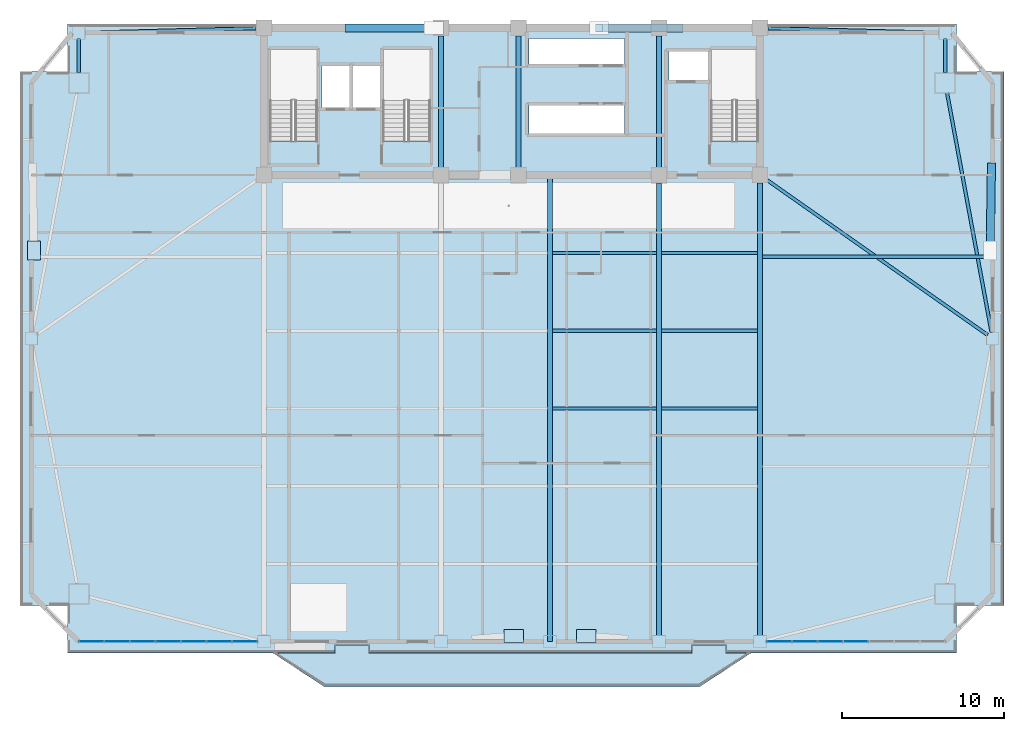
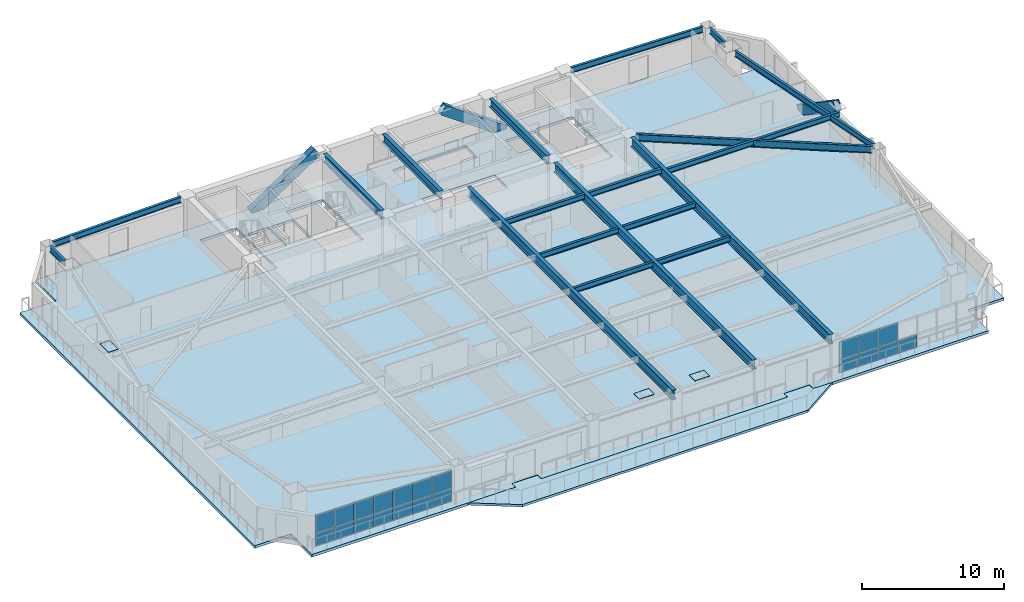
# One storey, part 6 of 15: 24 plates, 19 beams, 3 members, 2 slabs, 2 elements without a shape of their own.
"""IFC4 building model written with IfcOpenShell, lengths in metres."""

from ifc_helpers import new_model, si_unit, direction, frame, origin, origin_2d, place, context, subcontext, project, spatial, polyline, rectangle, hollow_rectangle, i_section, outline, extrude, source, transform, mapped, material, layer, layer_set, material_profile, profile_set, type_object, element, aggregate, save


model = new_model("IFC4")

# Units and contexts
model_context = context("Model", 3, precision=1e-05, world=origin(), true_north=direction((0.0, 1.0)))
body_context = subcontext(model_context, "Body", "Model", "MODEL_VIEW")
ifc_project = project(units=[si_unit("LENGTHUNIT", "METRE"), si_unit("AREAUNIT", "SQUARE_METRE"), si_unit("VOLUMEUNIT", "CUBIC_METRE"), si_unit("PLANEANGLEUNIT", "RADIAN"), si_unit("MASSUNIT", "GRAM", prefix="KILO")], contexts=[model_context])

# Site, building, storey
site_placement = place(None, origin())
site = spatial("IfcSite", under=ifc_project, at=site_placement, CompositionType="ELEMENT")
building_placement = place(site_placement, origin())
building = spatial("IfcBuilding", under=site, at=building_placement, Name="Giltprow Tower", CompositionType="ELEMENT")
storey_placement = place(building_placement, frame((0.0, 0.0, 152.699951171875)))
storey = spatial("IfcBuildingStorey", under=building, at=storey_placement, Name="L37", CompositionType="ELEMENT", Elevation=152.699951171875)

# Beams
ifc_material_1 = material(Name="Structural steel Q355B", Category="steel")
ifc_material_profile_1 = material_profile(ifc_material_1, i_section(OverallWidth=0.199951171875, OverallDepth=0.449951171875, WebThickness=0.009033203125, FlangeThickness=0.013916015625, at=origin_2d()), Name="HN 450x200x9x14")
ifc_profile_set_1 = profile_set([ifc_material_profile_1], Name="Structural steel Q355B")
beam_type_1 = type_object("IfcBeamType", Name="BM-JOIST-HN450", PredefinedType="JOIST", material=ifc_profile_set_1)
shared_shape_1 = source(origin(), body_context, "Body", "SweptSolid", [
    extrude(i_section(OverallWidth=0.199951171875, OverallDepth=0.449951171875, WebThickness=0.009033203125, FlangeThickness=0.013916015625, at=origin_2d()), origin(), (0.0, 0.0, 1.0), 6.4599609375),
])
for number, where, z_axis, x_axis, name in (
    (1, (37.695068359375, 23.010986328125, 3.045166015625), (1.0, 0.0, 0.0), (0.0, 1.0, 0.0), "L37 Composite Floor Joist 3-3"),
    (2, (37.695068359375, 27.823974609375, 3.045166015625), (1.0, 0.0, 0.0), (0.0, 1.0, 0.0), "L37 Composite Floor Joist 4-3"),
    (3, (37.695068359375, 32.636962890625, 3.045166015625), (1.0, 0.0, 0.0), (0.0, 1.0, 0.0), "L37 Composite Floor Joist 5-3"),
):
    element("IfcBeam", number, at=place(storey_placement, frame(where, z_axis=z_axis, x_axis=x_axis)), inside=storey, type_object=beam_type_1, Name=name, PredefinedType="JOIST", context=body_context, shape_type="MappedRepresentation", body=[
        mapped(shared_shape_1, transform((0.0, 0.0, 0.0), x_axis=(1.0, 0.0, 0.0), y_axis=(0.0, 1.0, 0.0), z_axis=(0.0, 0.0, 1.0), scale=1.0)),
    ])
shared_shape_2 = source(origin(), body_context, "Body", "SweptSolid", [
    extrude(i_section(OverallWidth=0.199951171875, OverallDepth=0.449951171875, WebThickness=0.009033203125, FlangeThickness=0.013916015625, at=origin_2d()), origin(), (0.0, 0.0, 1.0), 5.9599609375),
])
for number, where, z_axis, x_axis, name in (
    (4, (44.445068359375, 23.010986328125, 3.045166015625), (1.0, 0.0, 0.0), (0.0, 1.0, 0.0), "L37 Composite Floor Joist 3-4"),
    (5, (44.445068359375, 27.823974609375, 3.045166015625), (1.0, 0.0, 0.0), (0.0, 1.0, 0.0), "L37 Composite Floor Joist 4-4"),
    (6, (44.445068359375, 32.636962890625, 3.045166015625), (1.0, 0.0, 0.0), (0.0, 1.0, 0.0), "L37 Composite Floor Joist 5-4"),
):
    element("IfcBeam", number, at=place(storey_placement, frame(where, z_axis=z_axis, x_axis=x_axis)), inside=storey, type_object=beam_type_1, Name=name, PredefinedType="JOIST", context=body_context, shape_type="MappedRepresentation", body=[
        mapped(shared_shape_2, transform((0.0, 0.0, 0.0), x_axis=(1.0, 0.0, 0.0), y_axis=(0.0, 1.0, 0.0), z_axis=(0.0, 0.0, 1.0), scale=1.0)),
    ])
ifc_material_profile_2 = material_profile(ifc_material_1, i_section(OverallWidth=0.199951171875, OverallDepth=0.5, WebThickness=0.010009765625, FlangeThickness=0.01611328125, at=origin_2d()), Name="HN 500x200x10x16")
ifc_profile_set_2 = profile_set([ifc_material_profile_2], Name="Structural steel Q355B")
beam_type_2 = type_object("IfcBeamType", Name="BM-SPAN-HN500", PredefinedType="SPANDREL", material=ifc_profile_set_2)
shared_shape_3 = source(origin(), body_context, "Body", "SweptSolid", [
    extrude(i_section(OverallWidth=0.199951171875, OverallDepth=0.5, WebThickness=0.010009765625, FlangeThickness=0.01611328125, at=origin_2d()), origin(), (0.0, 0.0, 1.0), 15.075439453125),
])
beam_1_placement = place(storey_placement, frame((64.881103515625, 27.715087890625, 3.02001953125), z_axis=(-0.182625068297, 0.983182630252, 0.0), x_axis=(-0.983182630252, -0.182625068297, 0.0)))
element("IfcBeam", 7, at=beam_1_placement, inside=storey, type_object=beam_type_2, Name="L37 Perimeter Spandrel Beam E_MID-MC_NE", PredefinedType="SPANDREL", context=body_context, shape_type="MappedRepresentation", body=[
    mapped(shared_shape_3, transform((0.0, 0.0, 0.0), x_axis=(1.0, 0.0, 0.0), y_axis=(0.0, 1.0, 0.0), z_axis=(0.0, 0.0, 1.0), scale=1.0)),
])
shared_shape_4 = source(origin(), body_context, "Body", "SweptSolid", [
    extrude(i_section(OverallWidth=0.199951171875, OverallDepth=0.5, WebThickness=0.010009765625, FlangeThickness=0.01611328125, at=origin_2d()), origin(), (0.0, 0.0, 1.0), 2.069091796875),
])
for number, where, z_axis, x_axis, name in (
    (8, (62.011962890625, 43.7958984375, 3.02001953125), (0.0, 1.0, 0.0), (-1.0, 0.0, 0.0), "L37 Perimeter Spandrel Beam MC_NE-N_E"),
    (9, (8.387939453125, 45.864990234375, 3.02001953125), (0.0, -1.0, 0.0), (1.0, 0.0, 0.0), "L37 Perimeter Spandrel Beam N_W-MC_NW"),
):
    element("IfcBeam", number, at=place(storey_placement, frame(where, z_axis=z_axis, x_axis=x_axis)), inside=storey, type_object=beam_type_2, Name=name, PredefinedType="SPANDREL", context=body_context, shape_type="MappedRepresentation", body=[
        mapped(shared_shape_4, transform((0.0, 0.0, 0.0), x_axis=(1.0, 0.0, 0.0), y_axis=(0.0, 1.0, 0.0), z_axis=(0.0, 0.0, 1.0), scale=1.0)),
    ])
ifc_material_profile_3 = material_profile(ifc_material_1, i_section(OverallWidth=0.300048828125, OverallDepth=0.800048828125, WebThickness=0.013916015625, FlangeThickness=0.02587890625, at=origin_2d()), Name="HN 800x300x14x26")
ifc_profile_set_3 = profile_set([ifc_material_profile_3], Name="Structural steel Q355B")
beam_type_3 = type_object("IfcBeamType", Name="BM-GIRD-HN800", PredefinedType="BEAM", material=ifc_profile_set_3)
shared_shape_5 = source(origin(), body_context, "Body", "SweptSolid", [
    extrude(i_section(OverallWidth=0.300048828125, OverallDepth=0.800048828125, WebThickness=0.013916015625, FlangeThickness=0.02587890625, at=origin_2d()), origin(), (0.0, 0.0, 1.0), 28.8779296875),
])
beam_2_placement = place(storey_placement, frame((37.550048828125, 8.572021484375, 2.8701171875), z_axis=(0.0, 1.0, 0.0), x_axis=(-1.0, 0.0, 0.0)))
element("IfcBeam", 10, at=beam_2_placement, inside=storey, type_object=beam_type_3, Name="L37 Central Lease Girder SMID", PredefinedType="BEAM", context=body_context, shape_type="MappedRepresentation", body=[
    mapped(shared_shape_5, transform((0.0, 0.0, 0.0), x_axis=(1.0, 0.0, 0.0), y_axis=(0.0, 1.0, 0.0), z_axis=(0.0, 0.0, 1.0), scale=1.0)),
])
shared_shape_6 = source(origin(), body_context, "Body", "SweptSolid", [
    extrude(i_section(OverallWidth=0.199951171875, OverallDepth=0.449951171875, WebThickness=0.009033203125, FlangeThickness=0.013916015625, at=origin_2d()), origin(), (0.0, 0.0, 1.0), 14.035888671875),
])
beam_3_placement = place(storey_placement, frame((50.695068359375, 32.39306640625, 3.045166015625), z_axis=(1.0, 0.0, 0.0), x_axis=(0.0, 1.0, 0.0)))
element("IfcBeam", 11, at=beam_3_placement, inside=storey, type_object=beam_type_1, Name="L37 East Wing Floor Joist 2", PredefinedType="JOIST", context=body_context, shape_type="MappedRepresentation", body=[
    mapped(shared_shape_6, transform((0.0, 0.0, 0.0), x_axis=(1.0, 0.0, 0.0), y_axis=(0.0, 1.0, 0.0), z_axis=(0.0, 0.0, 1.0), scale=1.0)),
])
ifc_material_profile_4 = material_profile(ifc_material_1, i_section(OverallWidth=0.300048828125, OverallDepth=0.699951171875, WebThickness=0.012939453125, FlangeThickness=0.02392578125, at=origin_2d()), Name="HN 700x300x13x24")
ifc_profile_set_4 = profile_set([ifc_material_profile_4], Name="Structural steel Q355B")
beam_type_4 = type_object("IfcBeamType", Name="BM-GIRD-HN700", PredefinedType="BEAM", material=ifc_profile_set_4)
shared_shape_7 = source(origin(), body_context, "Body", "SweptSolid", [
    extrude(i_section(OverallWidth=0.300048828125, OverallDepth=0.699951171875, WebThickness=0.012939453125, FlangeThickness=0.02392578125, at=origin_2d()), origin(), (0.0, 0.0, 1.0), 8.1298828125),
])
for number, where, z_axis, x_axis, name in (
    (12, (30.800048828125, 37.93505859375, 2.920166015625), (0.0, 1.0, 0.0), (-1.0, 0.0, 0.0), "L37 Core Tie Girder M1"),
    (13, (35.60009765625, 37.93505859375, 2.920166015625), (0.0, 1.0, 0.0), (-1.0, 0.0, 0.0), "L37 Core Tie Girder M2"),
    (14, (44.300048828125, 37.93505859375, 2.920166015625), (0.0, 1.0, 0.0), (-1.0, 0.0, 0.0), "L37 Core Tie Girder M3"),
):
    element("IfcBeam", number, at=place(storey_placement, frame(where, z_axis=z_axis, x_axis=x_axis)), inside=storey, type_object=beam_type_4, Name=name, PredefinedType="BEAM", context=body_context, shape_type="MappedRepresentation", body=[
        mapped(shared_shape_7, transform((0.0, 0.0, 0.0), x_axis=(1.0, 0.0, 0.0), y_axis=(0.0, 1.0, 0.0), z_axis=(0.0, 0.0, 1.0), scale=1.0)),
    ])
shared_shape_8 = source(origin(), body_context, "Body", "SweptSolid", [
    extrude(i_section(OverallWidth=0.199951171875, OverallDepth=0.5, WebThickness=0.010009765625, FlangeThickness=0.01611328125, at=origin_2d()), origin(), (0.0, 0.0, 1.0), 10.595703125),
])
for number, where, z_axis, x_axis, name in (
    (15, (8.77294921875, 46.260009765625, 3.02001953125), (0.999657973569, 0.0261521678, 0.0), (-0.0261521678, 0.999657973569, 0.0), "L37 North Wing Spandrel W"),
    (16, (51.034912109375, 46.537109375, 3.02001953125), (0.999657973569, -0.0261521678, 0.0), (0.0261521678, 0.999657973569, 0.0), "L37 North Wing Spandrel E"),
):
    element("IfcBeam", number, at=place(storey_placement, frame(where, z_axis=z_axis, x_axis=x_axis)), inside=storey, type_object=beam_type_2, Name=name, PredefinedType="SPANDREL", context=body_context, shape_type="MappedRepresentation", body=[
        mapped(shared_shape_8, transform((0.0, 0.0, 0.0), x_axis=(1.0, 0.0, 0.0), y_axis=(0.0, 1.0, 0.0), z_axis=(0.0, 0.0, 1.0), scale=1.0)),
    ])
shared_shape_9 = source(origin(), body_context, "Body", "SweptSolid", [
    extrude(i_section(OverallWidth=0.300048828125, OverallDepth=0.800048828125, WebThickness=0.013916015625, FlangeThickness=0.02587890625, at=origin_2d()), origin(), (0.0, 0.0, 1.0), 28.008056640625),
])
for number, where, z_axis, x_axis, name in (
    (17, (44.300048828125, 8.95703125, 2.8701171875), (0.0, 1.0, 0.0), (-1.0, 0.0, 0.0), "L37 Primary Lease Girder S3"),
    (18, (50.550048828125, 8.95703125, 2.8701171875), (0.0, 1.0, 0.0), (-1.0, 0.0, 0.0), "L37 Primary Lease Girder S4"),
):
    element("IfcBeam", number, at=place(storey_placement, frame(where, z_axis=z_axis, x_axis=x_axis)), inside=storey, type_object=beam_type_3, Name=name, PredefinedType="BEAM", context=body_context, shape_type="MappedRepresentation", body=[
        mapped(shared_shape_9, transform((0.0, 0.0, 0.0), x_axis=(1.0, 0.0, 0.0), y_axis=(0.0, 1.0, 0.0), z_axis=(0.0, 0.0, 1.0), scale=1.0)),
    ])
ifc_material_profile_5 = material_profile(ifc_material_1, i_section(OverallWidth=0.199951171875, OverallDepth=0.60009765625, WebThickness=0.010986328125, FlangeThickness=0.01708984375, at=origin_2d()), Name="HN 600x200x11x17")
ifc_profile_set_5 = profile_set([ifc_material_profile_5], Name="Structural steel Q355B")
beam_type_5 = type_object("IfcBeamType", Name="BM-GIRD-HN600", PredefinedType="BEAM", material=ifc_profile_set_5)
shared_shape_10 = source(origin(), body_context, "Body", "SweptSolid", [
    extrude(i_section(OverallWidth=0.199951171875, OverallDepth=0.60009765625, WebThickness=0.010986328125, FlangeThickness=0.01708984375, at=origin_2d()), origin(), (0.0, 0.0, 1.0), 16.727783203125),
])
beam_4_placement = place(storey_placement, frame((64.635986328125, 27.556884765625, 2.969970703125), z_axis=(-0.818339560657, 0.574735037616, 0.0), x_axis=(-0.574735037616, -0.818339560657, 0.0)))
element("IfcBeam", 19, at=beam_4_placement, inside=storey, type_object=beam_type_5, Name="L37 East Wing Primary Girder", PredefinedType="BEAM", context=body_context, shape_type="MappedRepresentation", body=[
    mapped(shared_shape_10, transform((0.0, 0.0, 0.0), x_axis=(1.0, 0.0, 0.0), y_axis=(0.0, 1.0, 0.0), z_axis=(0.0, 0.0, 1.0), scale=1.0)),
])

# Members
ifc_material_2 = material(Name="Structural steel Q420GJC", Category="steel")
ifc_material_profile_6 = material_profile(ifc_material_2, hollow_rectangle(XDim=0.5, YDim=0.800048828125, WallThickness=0.035888671875, at=origin_2d()), Name="RHS 800x500x36")
ifc_profile_set_6 = profile_set([ifc_material_profile_6], Name="Structural steel Q420GJC")
member_type = type_object("IfcMemberType", Name="MBR-MEGA-RHS800", PredefinedType="BRACE", material=ifc_profile_set_6)
shared_shape_11 = source(origin(), body_context, "Body", "SweptSolid", [
    extrude(hollow_rectangle(XDim=0.5, YDim=0.800048828125, WallThickness=0.035888671875, at=origin_2d()), origin(), (0.0, 0.0, 1.0), 6.309814453125),
])
member_1_placement = place(storey_placement, frame((25.10009765625, 46.550048828125, -0.139892578125), z_axis=(0.832050294338, 0.0, 0.554700196225), x_axis=(0.0, 1.0, 0.0)))
element("IfcMember", 20, at=member_1_placement, inside=storey, type_object=member_type, Name="L37 Chevron Mega-Brace N-L", PredefinedType="BRACE", context=body_context, shape_type="MappedRepresentation", body=[
    mapped(shared_shape_11, transform((0.0, 0.0, 0.0), x_axis=(1.0, 0.0, 0.0), y_axis=(0.0, 1.0, 0.0), z_axis=(0.0, 0.0, 1.0), scale=1.0)),
])
shared_shape_12 = source(origin(), body_context, "Body", "SweptSolid", [
    extrude(hollow_rectangle(XDim=0.5, YDim=0.800048828125, WallThickness=0.035888671875, at=origin_2d()), origin(), (0.0, 0.0, 1.0), 6.090087890625),
])
member_2_placement = place(storey_placement, frame((45.56689453125, 46.550048828125, -0.139892578125), z_axis=(-0.81836087487, 0.0, 0.574704688064), x_axis=(0.0, -1.0, 0.0)))
element("IfcMember", 21, at=member_2_placement, inside=storey, type_object=member_type, Name="L37 Chevron Mega-Brace N-R", PredefinedType="BRACE", context=body_context, shape_type="MappedRepresentation", body=[
    mapped(shared_shape_12, transform((0.0, 0.0, 0.0), x_axis=(1.0, 0.0, 0.0), y_axis=(0.0, 1.0, 0.0), z_axis=(0.0, 0.0, 1.0), scale=1.0)),
])
shared_shape_13 = source(origin(), body_context, "Body", "SweptSolid", [
    extrude(hollow_rectangle(XDim=0.5, YDim=0.800048828125, WallThickness=0.035888671875, at=origin_2d()), origin(), (0.0, 0.0, 1.0), 6.259033203125),
])
member_3_placement = place(storey_placement, frame((64.873046875, 37.97412109375, 0.0), z_axis=(-0.012638223526, -0.828934839944, 0.559202384144), x_axis=(0.999883794796, -0.015244569644, 0.0)))
element("IfcMember", 22, at=member_3_placement, inside=storey, type_object=member_type, Name="L37 Chevron Mega-Brace E-R", PredefinedType="BRACE", context=body_context, shape_type="MappedRepresentation", body=[
    mapped(shared_shape_13, transform((0.0, 0.0, 0.0), x_axis=(1.0, 0.0, 0.0), y_axis=(0.0, 1.0, 0.0), z_axis=(0.0, 0.0, 1.0), scale=1.0)),
])

# Slabs
ifc_material_3 = material(Name="Concrete C40", Category="concrete")
ifc_layer_1 = layer(ifc_material_3, 0.199951171875, Name="Concrete C40")
ifc_layer_set_1 = layer_set([ifc_layer_1], Name="Concrete C40")
slab_type_1 = type_object("IfcSlabType", Name="SLB-BALC-BRONZE-200", PredefinedType="FLOOR", material=ifc_layer_set_1)
slab_1_placement = place(storey_placement, frame((0.0, 0.0, -0.199951171875)))
element("IfcSlab", 23, at=slab_1_placement, inside=storey, type_object=slab_type_1, Name="L37 Bronze Prow Waterfront Balcony Slab", PredefinedType="FLOOR", context=body_context, shape_type="SweptSolid", body=[
    extrude(outline(polyline([(50.0, 7.8720703125), (46.800048828125, 5.77197265625), (23.60009765625, 5.77197265625), (20.39990234375, 7.8720703125), (24.280029296875, 7.8720703125), (24.280029296875, 8.3720703125), (26.320068359375, 8.3720703125), (26.320068359375, 7.8720703125), (46.3798828125, 7.8720703125), (46.3798828125, 8.3720703125), (48.419921875, 8.3720703125), (48.419921875, 7.8720703125), (50.0, 7.8720703125)])), origin(), (0.0, 0.0, 1.0), 0.199951171875),
])
ifc_layer_2 = layer(ifc_material_3, 0.22998046875, Name="Concrete C40")
ifc_layer_set_2 = layer_set([ifc_layer_2], Name="Concrete C40")
slab_type_2 = type_object("IfcSlabType", Name="SLB-HTL-230", PredefinedType="FLOOR", material=ifc_layer_set_2)
slab_2_placement = place(storey_placement, frame((0.0, 0.0, -0.22998046875)))
element("IfcSlab", 24, at=slab_2_placement, inside=storey, type_object=slab_type_2, Name="L37 Structural Composite Floor Slab", PredefinedType="FLOOR", context=body_context, shape_type="SweptSolid", body=[
    extrude(outline(polyline([(7.68798828125, 7.8720703125), (7.68798828125, 10.81103515625), (4.7490234375, 10.81103515625), (4.7490234375, 43.861083984375), (7.68798828125, 43.861083984375), (7.68798828125, 46.800048828125), (62.7119140625, 46.800048828125), (62.7119140625, 43.861083984375), (65.65087890625, 43.861083984375), (65.65087890625, 10.81103515625), (62.7119140625, 10.81103515625), (62.7119140625, 7.8720703125), (48.449951171875, 7.8720703125), (48.449951171875, 8.39208984375), (46.35009765625, 8.39208984375), (46.35009765625, 7.8720703125), (26.35009765625, 7.8720703125), (26.35009765625, 8.39208984375), (24.25, 8.39208984375), (24.25, 7.8720703125), (7.68798828125, 7.8720703125)]), holes=[polyline([(42.169921875, 41.800048828125), (36.239990234375, 41.800048828125), (36.239990234375, 40.0), (42.169921875, 40.0), (42.169921875, 41.800048828125)]), polyline([(23.159912109375, 39.570068359375), (23.159912109375, 45.25), (20.199951171875, 45.25), (20.199951171875, 39.570068359375), (23.159912109375, 39.570068359375)]), polyline([(30.159912109375, 39.570068359375), (30.159912109375, 45.25), (27.199951171875, 45.25), (27.199951171875, 39.570068359375), (30.159912109375, 39.570068359375)]), polyline([(50.4599609375, 45.25), (47.5, 45.25), (47.5, 39.570068359375), (50.4599609375, 39.570068359375), (50.4599609375, 45.25)]), polyline([(25.169921875, 44.199951171875), (23.449951171875, 44.199951171875), (23.449951171875, 41.60009765625), (25.169921875, 41.60009765625), (25.169921875, 44.199951171875)]), polyline([(27.10009765625, 44.199951171875), (25.35009765625, 44.199951171875), (25.35009765625, 41.60009765625), (27.10009765625, 41.60009765625), (27.10009765625, 44.199951171875)]), polyline([(47.3798828125, 43.300048828125), (47.3798828125, 45.10009765625), (44.919921875, 45.10009765625), (44.919921875, 43.300048828125), (47.3798828125, 43.300048828125)]), polyline([(42.169921875, 44.300048828125), (42.169921875, 45.919921875), (36.239990234375, 45.919921875), (36.239990234375, 44.300048828125), (42.169921875, 44.300048828125)])]), origin(), (0.0, 0.0, 1.0), 0.22998046875),
])

# Plates
plate_type_1 = type_object("IfcPlateType", Name="PLT-CAP-SEAL", PredefinedType="USERDEFINED", material=ifc_material_2)
shared_shape_14 = source(origin(), body_context, "Body", "SweptSolid", [
    extrude(rectangle(XDim=1.199951171875, YDim=0.800048828125, at=origin_2d()), origin(), (0.0, 0.0, 1.0), 0.034912109375),
])
for number, where, z_axis, x_axis, name in (
    (25, (35.300048828125, 8.923095703125, 3.482421875), (0.0, 0.0, 1.0), (1.0, 0.0, 0.0), "Mega-Brace Node L37-S-LB"),
    (26, (39.800048828125, 8.923095703125, 3.482421875), (0.0, 0.0, 1.0), (1.0, 0.0, 0.0), "Mega-Brace Node L37-S-RB"),
    (27, (5.60595703125, 32.785888671875, 3.482421875), (0.0, 0.0, 1.0), (0.0, 1.0, 0.0), "Mega-Brace Node L37-W-RB"),
):
    element("IfcPlate", number, at=place(storey_placement, frame(where, z_axis=z_axis, x_axis=x_axis)), inside=storey, type_object=plate_type_1, Name=name, ObjectType="SPLICE", PredefinedType="USERDEFINED", context=body_context, shape_type="MappedRepresentation", body=[
        mapped(shared_shape_14, transform((0.0, 0.0, 0.0), x_axis=(1.0, 0.0, 0.0), y_axis=(0.0, 1.0, 0.0), z_axis=(0.0, 0.0, 1.0), scale=1.0)),
    ])

# Curtain wall, plates
ifc_material_4 = material(Name="Anodized bronze", Category="metal")
ifc_layer_3 = layer(ifc_material_4, 0.179931640625, Name="Anodized bronze")
ifc_layer_set_3 = layer_set([ifc_layer_3], Name="Anodized bronze")
curtain_wall_type = type_object("IfcCurtainWallType", Name="CW-HTL-BRONZE", PredefinedType="NOTDEFINED", material=ifc_layer_set_3)
curtain_wall_1_placement = place(storey_placement, origin())
curtain_wall_1 = element("IfcCurtainWall", 28, at=curtain_wall_1_placement, inside=storey, type_object=curtain_wall_type, Name="L37 South Recessed Curtain Wall 1", PredefinedType="NOTDEFINED")
ifc_material_5 = material(Name="Insulated glass", Category="glass")
plate_type_2 = type_object("IfcPlateType", Name="CW-PANEL-IGU-28", PredefinedType="CURTAIN_PANEL", material=ifc_material_5)
shared_shape_15 = source(origin(), body_context, "Body", "SweptSolid", [
    extrude(rectangle(XDim=1.550048828125, YDim=0.028076171875, at=origin_2d()), origin(), (0.0, 0.0, 1.0), 1.0869140625),
])
plate_1_placement = place(storey_placement, frame((9.177978515625, 8.572021484375, 0.0546875), z_axis=(0.0, 0.0, 1.0), x_axis=(1.0, 0.0, 0.0)))
plate_1 = element("IfcPlate", 29, at=plate_1_placement, type_object=plate_type_2, Name="L37 South Recessed Curtain Wall 1 Glazing Panel 1-1", PredefinedType="CURTAIN_PANEL", context=body_context, shape_type="MappedRepresentation", body=[
    mapped(shared_shape_15, transform((0.0, 0.0, 0.0), x_axis=(1.0, 0.0, 0.0), y_axis=(0.0, 1.0, 0.0), z_axis=(0.0, 0.0, 1.0), scale=1.0)),
])
plate_2_placement = place(storey_placement, frame((10.758056640625, 8.572021484375, 0.0546875), z_axis=(0.0, 0.0, 1.0), x_axis=(1.0, 0.0, 0.0)))
plate_2 = element("IfcPlate", 30, at=plate_2_placement, type_object=plate_type_2, Name="L37 South Recessed Curtain Wall 1 Glazing Panel 2-1", PredefinedType="CURTAIN_PANEL", context=body_context, shape_type="MappedRepresentation", body=[
    mapped(shared_shape_15, transform((0.0, 0.0, 0.0), x_axis=(1.0, 0.0, 0.0), y_axis=(0.0, 1.0, 0.0), z_axis=(0.0, 0.0, 1.0), scale=1.0)),
])
plate_3_placement = place(storey_placement, frame((12.339111328125, 8.572021484375, 0.0546875), z_axis=(0.0, 0.0, 1.0), x_axis=(1.0, 0.0, 0.0)))
plate_3 = element("IfcPlate", 31, at=plate_3_placement, type_object=plate_type_2, Name="L37 South Recessed Curtain Wall 1 Glazing Panel 3-1", PredefinedType="CURTAIN_PANEL", context=body_context, shape_type="MappedRepresentation", body=[
    mapped(shared_shape_15, transform((0.0, 0.0, 0.0), x_axis=(1.0, 0.0, 0.0), y_axis=(0.0, 1.0, 0.0), z_axis=(0.0, 0.0, 1.0), scale=1.0)),
])
plate_4_placement = place(storey_placement, frame((13.9189453125, 8.572021484375, 0.0546875), z_axis=(0.0, 0.0, 1.0), x_axis=(1.0, 0.0, 0.0)))
plate_4 = element("IfcPlate", 32, at=plate_4_placement, type_object=plate_type_2, Name="L37 South Recessed Curtain Wall 1 Glazing Panel 4-1", PredefinedType="CURTAIN_PANEL", context=body_context, shape_type="MappedRepresentation", body=[
    mapped(shared_shape_15, transform((0.0, 0.0, 0.0), x_axis=(1.0, 0.0, 0.0), y_axis=(0.0, 1.0, 0.0), z_axis=(0.0, 0.0, 1.0), scale=1.0)),
])
plate_5_placement = place(storey_placement, frame((15.4990234375, 8.572021484375, 0.0546875), z_axis=(0.0, 0.0, 1.0), x_axis=(1.0, 0.0, 0.0)))
plate_5 = element("IfcPlate", 33, at=plate_5_placement, type_object=plate_type_2, Name="L37 South Recessed Curtain Wall 1 Glazing Panel 5-1", PredefinedType="CURTAIN_PANEL", context=body_context, shape_type="MappedRepresentation", body=[
    mapped(shared_shape_15, transform((0.0, 0.0, 0.0), x_axis=(1.0, 0.0, 0.0), y_axis=(0.0, 1.0, 0.0), z_axis=(0.0, 0.0, 1.0), scale=1.0)),
])
plate_6_placement = place(storey_placement, frame((17.080078125, 8.572021484375, 0.0546875), z_axis=(0.0, 0.0, 1.0), x_axis=(1.0, 0.0, 0.0)))
plate_6 = element("IfcPlate", 34, at=plate_6_placement, type_object=plate_type_2, Name="L37 South Recessed Curtain Wall 1 Glazing Panel 6-1", PredefinedType="CURTAIN_PANEL", context=body_context, shape_type="MappedRepresentation", body=[
    mapped(shared_shape_15, transform((0.0, 0.0, 0.0), x_axis=(1.0, 0.0, 0.0), y_axis=(0.0, 1.0, 0.0), z_axis=(0.0, 0.0, 1.0), scale=1.0)),
])
plate_7_placement = place(storey_placement, frame((18.659912109375, 8.572021484375, 0.0546875), z_axis=(0.0, 0.0, 1.0), x_axis=(1.0, 0.0, 0.0)))
plate_7 = element("IfcPlate", 35, at=plate_7_placement, type_object=plate_type_2, Name="L37 South Recessed Curtain Wall 1 Glazing Panel 7-1", PredefinedType="CURTAIN_PANEL", context=body_context, shape_type="MappedRepresentation", body=[
    mapped(shared_shape_15, transform((0.0, 0.0, 0.0), x_axis=(1.0, 0.0, 0.0), y_axis=(0.0, 1.0, 0.0), z_axis=(0.0, 0.0, 1.0), scale=1.0)),
])

curtain_wall_2_placement = place(storey_placement, origin())
curtain_wall_2 = element("IfcCurtainWall", 36, at=curtain_wall_2_placement, inside=storey, type_object=curtain_wall_type, Name="L37 South Recessed Curtain Wall 6", PredefinedType="NOTDEFINED")
plate_8_placement = place(storey_placement, frame((51.739990234375, 8.572021484375, 0.0546875), z_axis=(0.0, 0.0, 1.0), x_axis=(1.0, 0.0, 0.0)))
plate_8 = element("IfcPlate", 37, at=plate_8_placement, type_object=plate_type_2, Name="L37 South Recessed Curtain Wall 6 Glazing Panel 1-1", PredefinedType="CURTAIN_PANEL", context=body_context, shape_type="MappedRepresentation", body=[
    mapped(shared_shape_15, transform((0.0, 0.0, 0.0), x_axis=(1.0, 0.0, 0.0), y_axis=(0.0, 1.0, 0.0), z_axis=(0.0, 0.0, 1.0), scale=1.0)),
])
plate_9_placement = place(storey_placement, frame((53.320068359375, 8.572021484375, 0.0546875), z_axis=(0.0, 0.0, 1.0), x_axis=(1.0, 0.0, 0.0)))
plate_9 = element("IfcPlate", 38, at=plate_9_placement, type_object=plate_type_2, Name="L37 South Recessed Curtain Wall 6 Glazing Panel 2-1", PredefinedType="CURTAIN_PANEL", context=body_context, shape_type="MappedRepresentation", body=[
    mapped(shared_shape_15, transform((0.0, 0.0, 0.0), x_axis=(1.0, 0.0, 0.0), y_axis=(0.0, 1.0, 0.0), z_axis=(0.0, 0.0, 1.0), scale=1.0)),
])
plate_10_placement = place(storey_placement, frame((54.90087890625, 8.572021484375, 0.0546875), z_axis=(0.0, 0.0, 1.0), x_axis=(1.0, 0.0, 0.0)))
plate_10 = element("IfcPlate", 39, at=plate_10_placement, type_object=plate_type_2, Name="L37 South Recessed Curtain Wall 6 Glazing Panel 3-1", PredefinedType="CURTAIN_PANEL", context=body_context, shape_type="MappedRepresentation", body=[
    mapped(shared_shape_15, transform((0.0, 0.0, 0.0), x_axis=(1.0, 0.0, 0.0), y_axis=(0.0, 1.0, 0.0), z_axis=(0.0, 0.0, 1.0), scale=1.0)),
])
plate_11_placement = place(storey_placement, frame((56.48095703125, 8.572021484375, 0.0546875), z_axis=(0.0, 0.0, 1.0), x_axis=(1.0, 0.0, 0.0)))
plate_11 = element("IfcPlate", 40, at=plate_11_placement, type_object=plate_type_2, Name="L37 South Recessed Curtain Wall 6 Glazing Panel 4-1", PredefinedType="CURTAIN_PANEL", context=body_context, shape_type="MappedRepresentation", body=[
    mapped(shared_shape_15, transform((0.0, 0.0, 0.0), x_axis=(1.0, 0.0, 0.0), y_axis=(0.0, 1.0, 0.0), z_axis=(0.0, 0.0, 1.0), scale=1.0)),
])

# Plate
shared_shape_16 = source(origin(), body_context, "Body", "SweptSolid", [
    extrude(rectangle(XDim=1.550048828125, YDim=0.028076171875, at=origin_2d()), origin(), (0.0, 0.0, 1.0), 1.527099609375),
])
plate_12_placement = place(storey_placement, frame((9.177978515625, 8.572021484375, 1.16845703125), z_axis=(0.0, 0.0, 1.0), x_axis=(1.0, 0.0, 0.0)))
plate_12 = element("IfcPlate", 41, at=plate_12_placement, type_object=plate_type_2, Name="L37 South Recessed Curtain Wall 1 Glazing Panel 1-2", PredefinedType="CURTAIN_PANEL", context=body_context, shape_type="MappedRepresentation", body=[
    mapped(shared_shape_16, transform((0.0, 0.0, 0.0), x_axis=(1.0, 0.0, 0.0), y_axis=(0.0, 1.0, 0.0), z_axis=(0.0, 0.0, 1.0), scale=1.0)),
])

plate_13_placement = place(storey_placement, frame((10.758056640625, 8.572021484375, 1.16845703125), z_axis=(0.0, 0.0, 1.0), x_axis=(1.0, 0.0, 0.0)))
plate_13 = element("IfcPlate", 42, at=plate_13_placement, type_object=plate_type_2, Name="L37 South Recessed Curtain Wall 1 Glazing Panel 2-2", PredefinedType="CURTAIN_PANEL", context=body_context, shape_type="MappedRepresentation", body=[
    mapped(shared_shape_16, transform((0.0, 0.0, 0.0), x_axis=(1.0, 0.0, 0.0), y_axis=(0.0, 1.0, 0.0), z_axis=(0.0, 0.0, 1.0), scale=1.0)),
])

plate_14_placement = place(storey_placement, frame((12.339111328125, 8.572021484375, 1.16845703125), z_axis=(0.0, 0.0, 1.0), x_axis=(1.0, 0.0, 0.0)))
plate_14 = element("IfcPlate", 43, at=plate_14_placement, type_object=plate_type_2, Name="L37 South Recessed Curtain Wall 1 Glazing Panel 3-2", PredefinedType="CURTAIN_PANEL", context=body_context, shape_type="MappedRepresentation", body=[
    mapped(shared_shape_16, transform((0.0, 0.0, 0.0), x_axis=(1.0, 0.0, 0.0), y_axis=(0.0, 1.0, 0.0), z_axis=(0.0, 0.0, 1.0), scale=1.0)),
])

plate_15_placement = place(storey_placement, frame((13.9189453125, 8.572021484375, 1.16845703125), z_axis=(0.0, 0.0, 1.0), x_axis=(1.0, 0.0, 0.0)))
plate_15 = element("IfcPlate", 44, at=plate_15_placement, type_object=plate_type_2, Name="L37 South Recessed Curtain Wall 1 Glazing Panel 4-2", PredefinedType="CURTAIN_PANEL", context=body_context, shape_type="MappedRepresentation", body=[
    mapped(shared_shape_16, transform((0.0, 0.0, 0.0), x_axis=(1.0, 0.0, 0.0), y_axis=(0.0, 1.0, 0.0), z_axis=(0.0, 0.0, 1.0), scale=1.0)),
])

plate_16_placement = place(storey_placement, frame((15.4990234375, 8.572021484375, 1.16845703125), z_axis=(0.0, 0.0, 1.0), x_axis=(1.0, 0.0, 0.0)))
plate_16 = element("IfcPlate", 45, at=plate_16_placement, type_object=plate_type_2, Name="L37 South Recessed Curtain Wall 1 Glazing Panel 5-2", PredefinedType="CURTAIN_PANEL", context=body_context, shape_type="MappedRepresentation", body=[
    mapped(shared_shape_16, transform((0.0, 0.0, 0.0), x_axis=(1.0, 0.0, 0.0), y_axis=(0.0, 1.0, 0.0), z_axis=(0.0, 0.0, 1.0), scale=1.0)),
])

plate_17_placement = place(storey_placement, frame((17.080078125, 8.572021484375, 1.16845703125), z_axis=(0.0, 0.0, 1.0), x_axis=(1.0, 0.0, 0.0)))
plate_17 = element("IfcPlate", 46, at=plate_17_placement, type_object=plate_type_2, Name="L37 South Recessed Curtain Wall 1 Glazing Panel 6-2", PredefinedType="CURTAIN_PANEL", context=body_context, shape_type="MappedRepresentation", body=[
    mapped(shared_shape_16, transform((0.0, 0.0, 0.0), x_axis=(1.0, 0.0, 0.0), y_axis=(0.0, 1.0, 0.0), z_axis=(0.0, 0.0, 1.0), scale=1.0)),
])

plate_18_placement = place(storey_placement, frame((18.659912109375, 8.572021484375, 1.16845703125), z_axis=(0.0, 0.0, 1.0), x_axis=(1.0, 0.0, 0.0)))
plate_18 = element("IfcPlate", 47, at=plate_18_placement, type_object=plate_type_2, Name="L37 South Recessed Curtain Wall 1 Glazing Panel 7-2", PredefinedType="CURTAIN_PANEL", context=body_context, shape_type="MappedRepresentation", body=[
    mapped(shared_shape_16, transform((0.0, 0.0, 0.0), x_axis=(1.0, 0.0, 0.0), y_axis=(0.0, 1.0, 0.0), z_axis=(0.0, 0.0, 1.0), scale=1.0)),
])

aggregate(curtain_wall_1, [plate_1, plate_12, plate_2, plate_13, plate_3, plate_14, plate_4, plate_15, plate_5, plate_16, plate_6, plate_17, plate_7, plate_18])

plate_19_placement = place(storey_placement, frame((51.739990234375, 8.572021484375, 1.16845703125), z_axis=(0.0, 0.0, 1.0), x_axis=(1.0, 0.0, 0.0)))
plate_19 = element("IfcPlate", 48, at=plate_19_placement, type_object=plate_type_2, Name="L37 South Recessed Curtain Wall 6 Glazing Panel 1-2", PredefinedType="CURTAIN_PANEL", context=body_context, shape_type="MappedRepresentation", body=[
    mapped(shared_shape_16, transform((0.0, 0.0, 0.0), x_axis=(1.0, 0.0, 0.0), y_axis=(0.0, 1.0, 0.0), z_axis=(0.0, 0.0, 1.0), scale=1.0)),
])

plate_20_placement = place(storey_placement, frame((53.320068359375, 8.572021484375, 1.16845703125), z_axis=(0.0, 0.0, 1.0), x_axis=(1.0, 0.0, 0.0)))
plate_20 = element("IfcPlate", 49, at=plate_20_placement, type_object=plate_type_2, Name="L37 South Recessed Curtain Wall 6 Glazing Panel 2-2", PredefinedType="CURTAIN_PANEL", context=body_context, shape_type="MappedRepresentation", body=[
    mapped(shared_shape_16, transform((0.0, 0.0, 0.0), x_axis=(1.0, 0.0, 0.0), y_axis=(0.0, 1.0, 0.0), z_axis=(0.0, 0.0, 1.0), scale=1.0)),
])

plate_21_placement = place(storey_placement, frame((54.90087890625, 8.572021484375, 1.16845703125), z_axis=(0.0, 0.0, 1.0), x_axis=(1.0, 0.0, 0.0)))
plate_21 = element("IfcPlate", 50, at=plate_21_placement, type_object=plate_type_2, Name="L37 South Recessed Curtain Wall 6 Glazing Panel 3-2", PredefinedType="CURTAIN_PANEL", context=body_context, shape_type="MappedRepresentation", body=[
    mapped(shared_shape_16, transform((0.0, 0.0, 0.0), x_axis=(1.0, 0.0, 0.0), y_axis=(0.0, 1.0, 0.0), z_axis=(0.0, 0.0, 1.0), scale=1.0)),
])

aggregate(curtain_wall_2, [plate_8, plate_19, plate_9, plate_20, plate_10, plate_21, plate_11])

save(model, "model.ifc")
